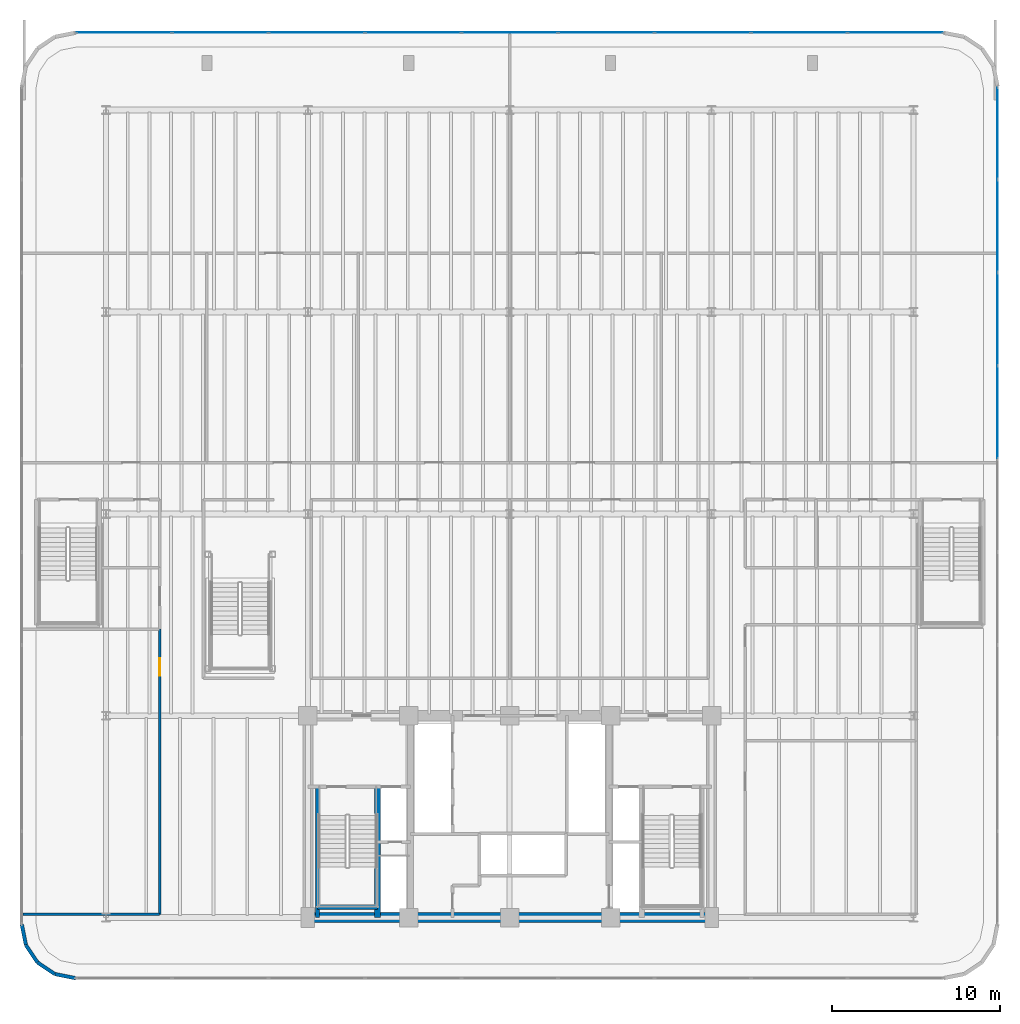
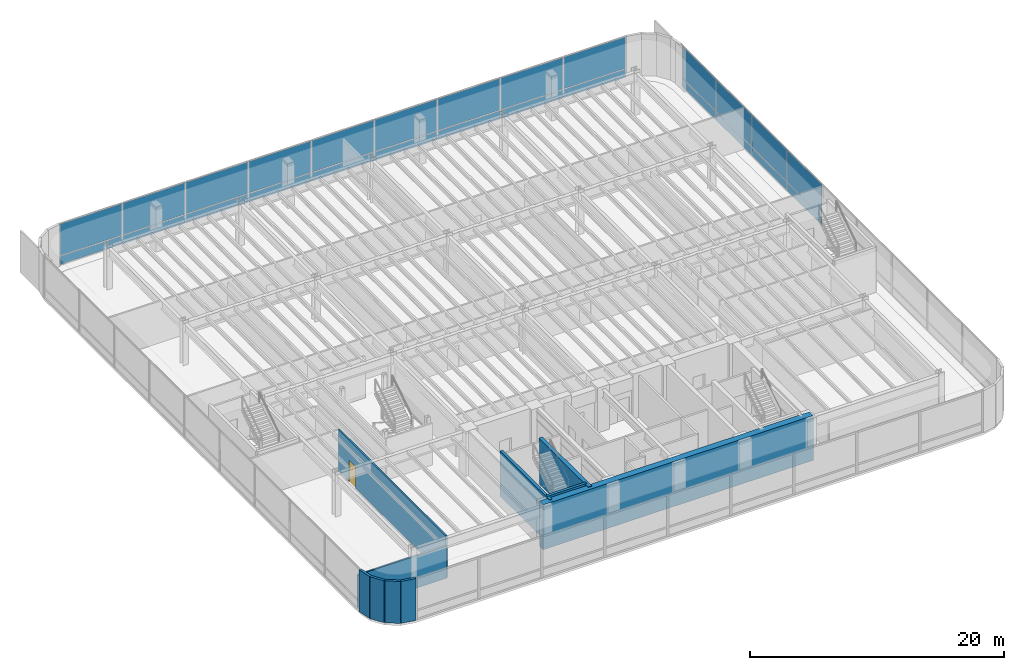
# One storey, part 11 of 18: 26 plates, 10 walls, 1 door, 1 opening, 2 elements without a shape of their own.
"""IFC4 building model written with IfcOpenShell, lengths in metres."""

from ifc_helpers import new_model, si_unit, direction, frame, frame_2d, origin, origin_2d, place, context, subcontext, project, spatial, rectangle, extrude, source, transform, mapped, material, layer, layer_set, type_object, element, fill, aggregate, save


model = new_model("IFC4")

# Units and contexts
model_context = context("Model", 3, precision=1e-05, world=origin(), true_north=direction((0.0, 1.0)))
body_context = subcontext(model_context, "Body", "Model", "MODEL_VIEW")
ifc_project = project(units=[si_unit("LENGTHUNIT", "METRE"), si_unit("AREAUNIT", "SQUARE_METRE"), si_unit("VOLUMEUNIT", "CUBIC_METRE"), si_unit("PLANEANGLEUNIT", "RADIAN"), si_unit("MASSUNIT", "GRAM", prefix="KILO")], contexts=[model_context])

# Site, building, storey
site_placement = place(None, origin())
site = spatial("IfcSite", under=ifc_project, at=site_placement, CompositionType="ELEMENT")
building_placement = place(site_placement, origin())
building = spatial("IfcBuilding", under=site, at=building_placement, Name="Brelvock Crest Care Tower", CompositionType="ELEMENT")
storey_placement = place(building_placement, frame((0.0, 0.0, 5.39990234375)))
storey = spatial("IfcBuildingStorey", under=building, at=storey_placement, Name="L01", CompositionType="ELEMENT", Elevation=5.39990234375)

# Curtain wall, plates
ifc_material_1 = material(Name="Dark Glass Double Glazed Low-E", Category="glass")
ifc_layer_1 = layer(ifc_material_1, 0.179931640625, Name="CWS-1")
ifc_layer_set_1 = layer_set([ifc_layer_1], Name="Dark Glass Double Glazed Low-E")
curtain_wall_type = type_object("IfcCurtainWallType", Name="CWS-1", PredefinedType="NOTDEFINED", material=ifc_layer_set_1)
curtain_wall_1_placement = place(storey_placement, origin())
curtain_wall_1 = element("IfcCurtainWall", 1, at=curtain_wall_1_placement, inside=storey, type_object=curtain_wall_type, Name="L01 Curtain Wall E14", PredefinedType="NOTDEFINED")
ifc_material_2 = material(Name="Dark Glass Shadow-Box Spandrel", Category="glass")
ifc_layer_2 = layer(ifc_material_2, 0.048095703125, Name="CWP-SP1")
ifc_layer_set_2 = layer_set([ifc_layer_2], Name="Dark Glass Shadow-Box Spandrel")
plate_type_1 = type_object("IfcPlateType", Name="CWP-SP1", PredefinedType="SHEET", material=ifc_layer_set_2)
shared_shape_1 = source(origin(), body_context, "Body", "SweptSolid", [
    extrude(rectangle(XDim=5.435791015625, YDim=0.035888671875, at=origin_2d()), origin(), (0.0, 0.0, 1.0), 0.802490234375),
])
plate_1_placement = place(storey_placement, frame((65.0, 52.6171875, 0.06494140625), z_axis=(0.0, 0.0, 1.0), x_axis=(0.0, -1.0, 0.0)))
plate_1 = element("IfcPlate", 2, at=plate_1_placement, type_object=plate_type_1, Name="CW-1 panel 1.1", PredefinedType="SHEET", context=body_context, shape_type="MappedRepresentation", body=[
    mapped(shared_shape_1, transform((0.0, 0.0, 0.0), x_axis=(1.0, 0.0, 0.0), y_axis=(0.0, 1.0, 0.0), z_axis=(0.0, 0.0, 1.0), scale=1.0)),
])
ifc_layer_3 = layer(ifc_material_1, 0.031982421875, Name="CWP-V1")
ifc_layer_set_3 = layer_set([ifc_layer_3], Name="Dark Glass Double Glazed Low-E")
plate_type_2 = type_object("IfcPlateType", Name="CWP-V1", PredefinedType="CURTAIN_PANEL", material=ifc_layer_set_3)
shared_shape_2 = source(origin(), body_context, "Body", "SweptSolid", [
    extrude(rectangle(XDim=5.435791015625, YDim=0.035888671875, at=origin_2d()), origin(), (0.0, 0.0, 1.0), 3.04248046875),
])
plate_2_placement = place(storey_placement, frame((65.0, 52.6171875, 0.9326171875), z_axis=(0.0, 0.0, 1.0), x_axis=(0.0, -1.0, 0.0)))
plate_2 = element("IfcPlate", 3, at=plate_2_placement, type_object=plate_type_2, Name="CW-1 panel 1.2", PredefinedType="CURTAIN_PANEL", context=body_context, shape_type="MappedRepresentation", body=[
    mapped(shared_shape_2, transform((0.0, 0.0, 0.0), x_axis=(1.0, 0.0, 0.0), y_axis=(0.0, 1.0, 0.0), z_axis=(0.0, 0.0, 1.0), scale=1.0)),
])
shared_shape_3 = source(origin(), body_context, "Body", "SweptSolid", [
    extrude(rectangle(XDim=5.46826171875, YDim=0.035888671875, at=origin_2d()), origin(), (0.0, 0.0, 1.0), 0.802490234375),
])
plate_3_placement = place(storey_placement, frame((65.0, 47.10009765625, 0.06494140625), z_axis=(0.0, 0.0, 1.0), x_axis=(0.0, -1.0, 0.0)))
plate_3 = element("IfcPlate", 4, at=plate_3_placement, type_object=plate_type_1, Name="CW-1 panel 2.1", PredefinedType="SHEET", context=body_context, shape_type="MappedRepresentation", body=[
    mapped(shared_shape_3, transform((0.0, 0.0, 0.0), x_axis=(1.0, 0.0, 0.0), y_axis=(0.0, 1.0, 0.0), z_axis=(0.0, 0.0, 1.0), scale=1.0)),
])
plate_4_placement = place(storey_placement, frame((65.0, 41.566650390625, 0.06494140625), z_axis=(0.0, 0.0, 1.0), x_axis=(0.0, -1.0, 0.0)))
plate_4 = element("IfcPlate", 5, at=plate_4_placement, type_object=plate_type_1, Name="CW-1 panel 3.1", PredefinedType="SHEET", context=body_context, shape_type="MappedRepresentation", body=[
    mapped(shared_shape_3, transform((0.0, 0.0, 0.0), x_axis=(1.0, 0.0, 0.0), y_axis=(0.0, 1.0, 0.0), z_axis=(0.0, 0.0, 1.0), scale=1.0)),
])
plate_5_placement = place(storey_placement, frame((65.0, 36.033447265625, 0.06494140625), z_axis=(0.0, 0.0, 1.0), x_axis=(0.0, -1.0, 0.0)))
plate_5 = element("IfcPlate", 6, at=plate_5_placement, type_object=plate_type_1, Name="CW-1 panel 4.1", PredefinedType="SHEET", context=body_context, shape_type="MappedRepresentation", body=[
    mapped(shared_shape_3, transform((0.0, 0.0, 0.0), x_axis=(1.0, 0.0, 0.0), y_axis=(0.0, 1.0, 0.0), z_axis=(0.0, 0.0, 1.0), scale=1.0)),
])
shared_shape_4 = source(origin(), body_context, "Body", "SweptSolid", [
    extrude(rectangle(XDim=5.46826171875, YDim=0.035888671875, at=origin_2d()), origin(), (0.0, 0.0, 1.0), 3.04248046875),
])
plate_6_placement = place(storey_placement, frame((65.0, 47.10009765625, 0.9326171875), z_axis=(0.0, 0.0, 1.0), x_axis=(0.0, -1.0, 0.0)))
plate_6 = element("IfcPlate", 7, at=plate_6_placement, type_object=plate_type_2, Name="CW-1 panel 2.2", PredefinedType="CURTAIN_PANEL", context=body_context, shape_type="MappedRepresentation", body=[
    mapped(shared_shape_4, transform((0.0, 0.0, 0.0), x_axis=(1.0, 0.0, 0.0), y_axis=(0.0, 1.0, 0.0), z_axis=(0.0, 0.0, 1.0), scale=1.0)),
])
plate_7_placement = place(storey_placement, frame((65.0, 41.566650390625, 0.9326171875), z_axis=(0.0, 0.0, 1.0), x_axis=(0.0, -1.0, 0.0)))
plate_7 = element("IfcPlate", 8, at=plate_7_placement, type_object=plate_type_2, Name="CW-1 panel 3.2", PredefinedType="CURTAIN_PANEL", context=body_context, shape_type="MappedRepresentation", body=[
    mapped(shared_shape_4, transform((0.0, 0.0, 0.0), x_axis=(1.0, 0.0, 0.0), y_axis=(0.0, 1.0, 0.0), z_axis=(0.0, 0.0, 1.0), scale=1.0)),
])
plate_8_placement = place(storey_placement, frame((65.0, 36.033447265625, 0.9326171875), z_axis=(0.0, 0.0, 1.0), x_axis=(0.0, -1.0, 0.0)))
plate_8 = element("IfcPlate", 9, at=plate_8_placement, type_object=plate_type_2, Name="CW-1 panel 4.2", PredefinedType="CURTAIN_PANEL", context=body_context, shape_type="MappedRepresentation", body=[
    mapped(shared_shape_4, transform((0.0, 0.0, 0.0), x_axis=(1.0, 0.0, 0.0), y_axis=(0.0, 1.0, 0.0), z_axis=(0.0, 0.0, 1.0), scale=1.0)),
])
aggregate(curtain_wall_1, [plate_1, plate_2, plate_3, plate_6, plate_4, plate_7, plate_5, plate_8])

curtain_wall_2_placement = place(storey_placement, origin())
curtain_wall_2 = element("IfcCurtainWall", 10, at=curtain_wall_2_placement, inside=storey, type_object=curtain_wall_type, Name="L01 Curtain Wall E09", PredefinedType="NOTDEFINED")
shared_shape_5 = source(origin(), body_context, "Body", "SweptSolid", [
    extrude(rectangle(XDim=5.6357421875, YDim=0.035888671875, at=origin_2d()), origin(), (0.0, 0.0, 1.0), 0.802490234375),
])
plate_9_placement = place(storey_placement, frame((13.0830078125, 58.60009765625, 0.06494140625), z_axis=(0.0, 0.0, 1.0), x_axis=(1.0, 0.0, 0.0)))
plate_9 = element("IfcPlate", 11, at=plate_9_placement, type_object=plate_type_1, Name="CW-1 panel 1.1", PredefinedType="SHEET", context=body_context, shape_type="MappedRepresentation", body=[
    mapped(shared_shape_5, transform((0.0, 0.0, 0.0), x_axis=(1.0, 0.0, 0.0), y_axis=(0.0, 1.0, 0.0), z_axis=(0.0, 0.0, 1.0), scale=1.0)),
])
plate_10_placement = place(storey_placement, frame((58.9169921875, 58.60009765625, 0.06494140625), z_axis=(0.0, 0.0, 1.0), x_axis=(1.0, 0.0, 0.0)))
plate_10 = element("IfcPlate", 12, at=plate_10_placement, type_object=plate_type_1, Name="CW-1 panel 9.1", PredefinedType="SHEET", context=body_context, shape_type="MappedRepresentation", body=[
    mapped(shared_shape_5, transform((0.0, 0.0, 0.0), x_axis=(1.0, 0.0, 0.0), y_axis=(0.0, 1.0, 0.0), z_axis=(0.0, 0.0, 1.0), scale=1.0)),
])
shared_shape_6 = source(origin(), body_context, "Body", "SweptSolid", [
    extrude(rectangle(XDim=5.6357421875, YDim=0.035888671875, at=origin_2d()), origin(), (0.0, 0.0, 1.0), 3.04248046875),
])
plate_11_placement = place(storey_placement, frame((13.0830078125, 58.60009765625, 0.9326171875), z_axis=(0.0, 0.0, 1.0), x_axis=(1.0, 0.0, 0.0)))
plate_11 = element("IfcPlate", 13, at=plate_11_placement, type_object=plate_type_2, Name="CW-1 panel 1.2", PredefinedType="CURTAIN_PANEL", context=body_context, shape_type="MappedRepresentation", body=[
    mapped(shared_shape_6, transform((0.0, 0.0, 0.0), x_axis=(1.0, 0.0, 0.0), y_axis=(0.0, 1.0, 0.0), z_axis=(0.0, 0.0, 1.0), scale=1.0)),
])
plate_12_placement = place(storey_placement, frame((58.9169921875, 58.60009765625, 0.9326171875), z_axis=(0.0, 0.0, 1.0), x_axis=(1.0, 0.0, 0.0)))
plate_12 = element("IfcPlate", 14, at=plate_12_placement, type_object=plate_type_2, Name="CW-1 panel 9.2", PredefinedType="CURTAIN_PANEL", context=body_context, shape_type="MappedRepresentation", body=[
    mapped(shared_shape_6, transform((0.0, 0.0, 0.0), x_axis=(1.0, 0.0, 0.0), y_axis=(0.0, 1.0, 0.0), z_axis=(0.0, 0.0, 1.0), scale=1.0)),
])
shared_shape_7 = source(origin(), body_context, "Body", "SweptSolid", [
    extrude(rectangle(XDim=5.668212890625, YDim=0.035888671875, at=origin_2d()), origin(), (0.0, 0.0, 1.0), 0.802490234375),
])
plate_13_placement = place(storey_placement, frame((18.800048828125, 58.60009765625, 0.06494140625), z_axis=(0.0, 0.0, 1.0), x_axis=(1.0, 0.0, 0.0)))
plate_13 = element("IfcPlate", 15, at=plate_13_placement, type_object=plate_type_1, Name="CW-1 panel 2.1", PredefinedType="SHEET", context=body_context, shape_type="MappedRepresentation", body=[
    mapped(shared_shape_7, transform((0.0, 0.0, 0.0), x_axis=(1.0, 0.0, 0.0), y_axis=(0.0, 1.0, 0.0), z_axis=(0.0, 0.0, 1.0), scale=1.0)),
])
plate_14_placement = place(storey_placement, frame((24.533447265625, 58.60009765625, 0.06494140625), z_axis=(0.0, 0.0, 1.0), x_axis=(1.0, 0.0, 0.0)))
plate_14 = element("IfcPlate", 16, at=plate_14_placement, type_object=plate_type_1, Name="CW-1 panel 3.1", PredefinedType="SHEET", context=body_context, shape_type="MappedRepresentation", body=[
    mapped(shared_shape_7, transform((0.0, 0.0, 0.0), x_axis=(1.0, 0.0, 0.0), y_axis=(0.0, 1.0, 0.0), z_axis=(0.0, 0.0, 1.0), scale=1.0)),
])
plate_15_placement = place(storey_placement, frame((30.2666015625, 58.60009765625, 0.06494140625), z_axis=(0.0, 0.0, 1.0), x_axis=(1.0, 0.0, 0.0)))
plate_15 = element("IfcPlate", 17, at=plate_15_placement, type_object=plate_type_1, Name="CW-1 panel 4.1", PredefinedType="SHEET", context=body_context, shape_type="MappedRepresentation", body=[
    mapped(shared_shape_7, transform((0.0, 0.0, 0.0), x_axis=(1.0, 0.0, 0.0), y_axis=(0.0, 1.0, 0.0), z_axis=(0.0, 0.0, 1.0), scale=1.0)),
])
plate_16_placement = place(storey_placement, frame((36.0, 58.60009765625, 0.06494140625), z_axis=(0.0, 0.0, 1.0), x_axis=(1.0, 0.0, 0.0)))
plate_16 = element("IfcPlate", 18, at=plate_16_placement, type_object=plate_type_1, Name="CW-1 panel 5.1", PredefinedType="SHEET", context=body_context, shape_type="MappedRepresentation", body=[
    mapped(shared_shape_7, transform((0.0, 0.0, 0.0), x_axis=(1.0, 0.0, 0.0), y_axis=(0.0, 1.0, 0.0), z_axis=(0.0, 0.0, 1.0), scale=1.0)),
])
plate_17_placement = place(storey_placement, frame((41.7333984375, 58.60009765625, 0.06494140625), z_axis=(0.0, 0.0, 1.0), x_axis=(1.0, 0.0, 0.0)))
plate_17 = element("IfcPlate", 19, at=plate_17_placement, type_object=plate_type_1, Name="CW-1 panel 6.1", PredefinedType="SHEET", context=body_context, shape_type="MappedRepresentation", body=[
    mapped(shared_shape_7, transform((0.0, 0.0, 0.0), x_axis=(1.0, 0.0, 0.0), y_axis=(0.0, 1.0, 0.0), z_axis=(0.0, 0.0, 1.0), scale=1.0)),
])
plate_18_placement = place(storey_placement, frame((47.466552734375, 58.60009765625, 0.06494140625), z_axis=(0.0, 0.0, 1.0), x_axis=(1.0, 0.0, 0.0)))
plate_18 = element("IfcPlate", 20, at=plate_18_placement, type_object=plate_type_1, Name="CW-1 panel 7.1", PredefinedType="SHEET", context=body_context, shape_type="MappedRepresentation", body=[
    mapped(shared_shape_7, transform((0.0, 0.0, 0.0), x_axis=(1.0, 0.0, 0.0), y_axis=(0.0, 1.0, 0.0), z_axis=(0.0, 0.0, 1.0), scale=1.0)),
])
plate_19_placement = place(storey_placement, frame((53.199951171875, 58.60009765625, 0.06494140625), z_axis=(0.0, 0.0, 1.0), x_axis=(1.0, 0.0, 0.0)))
plate_19 = element("IfcPlate", 21, at=plate_19_placement, type_object=plate_type_1, Name="CW-1 panel 8.1", PredefinedType="SHEET", context=body_context, shape_type="MappedRepresentation", body=[
    mapped(shared_shape_7, transform((0.0, 0.0, 0.0), x_axis=(1.0, 0.0, 0.0), y_axis=(0.0, 1.0, 0.0), z_axis=(0.0, 0.0, 1.0), scale=1.0)),
])
shared_shape_8 = source(origin(), body_context, "Body", "SweptSolid", [
    extrude(rectangle(XDim=5.668212890625, YDim=0.035888671875, at=origin_2d()), origin(), (0.0, 0.0, 1.0), 3.04248046875),
])
plate_20_placement = place(storey_placement, frame((18.800048828125, 58.60009765625, 0.9326171875), z_axis=(0.0, 0.0, 1.0), x_axis=(1.0, 0.0, 0.0)))
plate_20 = element("IfcPlate", 22, at=plate_20_placement, type_object=plate_type_2, Name="CW-1 panel 2.2", PredefinedType="CURTAIN_PANEL", context=body_context, shape_type="MappedRepresentation", body=[
    mapped(shared_shape_8, transform((0.0, 0.0, 0.0), x_axis=(1.0, 0.0, 0.0), y_axis=(0.0, 1.0, 0.0), z_axis=(0.0, 0.0, 1.0), scale=1.0)),
])
plate_21_placement = place(storey_placement, frame((24.533447265625, 58.60009765625, 0.9326171875), z_axis=(0.0, 0.0, 1.0), x_axis=(1.0, 0.0, 0.0)))
plate_21 = element("IfcPlate", 23, at=plate_21_placement, type_object=plate_type_2, Name="CW-1 panel 3.2", PredefinedType="CURTAIN_PANEL", context=body_context, shape_type="MappedRepresentation", body=[
    mapped(shared_shape_8, transform((0.0, 0.0, 0.0), x_axis=(1.0, 0.0, 0.0), y_axis=(0.0, 1.0, 0.0), z_axis=(0.0, 0.0, 1.0), scale=1.0)),
])
plate_22_placement = place(storey_placement, frame((30.2666015625, 58.60009765625, 0.9326171875), z_axis=(0.0, 0.0, 1.0), x_axis=(1.0, 0.0, 0.0)))
plate_22 = element("IfcPlate", 24, at=plate_22_placement, type_object=plate_type_2, Name="CW-1 panel 4.2", PredefinedType="CURTAIN_PANEL", context=body_context, shape_type="MappedRepresentation", body=[
    mapped(shared_shape_8, transform((0.0, 0.0, 0.0), x_axis=(1.0, 0.0, 0.0), y_axis=(0.0, 1.0, 0.0), z_axis=(0.0, 0.0, 1.0), scale=1.0)),
])
plate_23_placement = place(storey_placement, frame((36.0, 58.60009765625, 0.9326171875), z_axis=(0.0, 0.0, 1.0), x_axis=(1.0, 0.0, 0.0)))
plate_23 = element("IfcPlate", 25, at=plate_23_placement, type_object=plate_type_2, Name="CW-1 panel 5.2", PredefinedType="CURTAIN_PANEL", context=body_context, shape_type="MappedRepresentation", body=[
    mapped(shared_shape_8, transform((0.0, 0.0, 0.0), x_axis=(1.0, 0.0, 0.0), y_axis=(0.0, 1.0, 0.0), z_axis=(0.0, 0.0, 1.0), scale=1.0)),
])
plate_24_placement = place(storey_placement, frame((41.7333984375, 58.60009765625, 0.9326171875), z_axis=(0.0, 0.0, 1.0), x_axis=(1.0, 0.0, 0.0)))
plate_24 = element("IfcPlate", 26, at=plate_24_placement, type_object=plate_type_2, Name="CW-1 panel 6.2", PredefinedType="CURTAIN_PANEL", context=body_context, shape_type="MappedRepresentation", body=[
    mapped(shared_shape_8, transform((0.0, 0.0, 0.0), x_axis=(1.0, 0.0, 0.0), y_axis=(0.0, 1.0, 0.0), z_axis=(0.0, 0.0, 1.0), scale=1.0)),
])
plate_25_placement = place(storey_placement, frame((47.466552734375, 58.60009765625, 0.9326171875), z_axis=(0.0, 0.0, 1.0), x_axis=(1.0, 0.0, 0.0)))
plate_25 = element("IfcPlate", 27, at=plate_25_placement, type_object=plate_type_2, Name="CW-1 panel 7.2", PredefinedType="CURTAIN_PANEL", context=body_context, shape_type="MappedRepresentation", body=[
    mapped(shared_shape_8, transform((0.0, 0.0, 0.0), x_axis=(1.0, 0.0, 0.0), y_axis=(0.0, 1.0, 0.0), z_axis=(0.0, 0.0, 1.0), scale=1.0)),
])
plate_26_placement = place(storey_placement, frame((53.199951171875, 58.60009765625, 0.9326171875), z_axis=(0.0, 0.0, 1.0), x_axis=(1.0, 0.0, 0.0)))
plate_26 = element("IfcPlate", 28, at=plate_26_placement, type_object=plate_type_2, Name="CW-1 panel 8.2", PredefinedType="CURTAIN_PANEL", context=body_context, shape_type="MappedRepresentation", body=[
    mapped(shared_shape_8, transform((0.0, 0.0, 0.0), x_axis=(1.0, 0.0, 0.0), y_axis=(0.0, 1.0, 0.0), z_axis=(0.0, 0.0, 1.0), scale=1.0)),
])
aggregate(curtain_wall_2, [plate_9, plate_11, plate_13, plate_20, plate_14, plate_21, plate_15, plate_22, plate_16, plate_23, plate_17, plate_24, plate_18, plate_25, plate_19, plate_26, plate_10, plate_12])

# Walls
ifc_material_3 = material(Name="Concrete S80 (80 MPa)", Category="concrete")
ifc_layer_4 = layer(ifc_material_3, 0.60009765625, Name="WL-CS1")
ifc_layer_set_4 = layer_set([ifc_layer_4], Name="Concrete S80 (80 MPa)")
wall_type_1 = type_object("IfcWallType", Name="WL-CS1", PredefinedType="SHEAR", material=ifc_layer_set_4)
wall_1_placement = place(storey_placement, frame((48.300048828125, 6.0, 0.0), z_axis=(0.0, 0.0, 1.0), x_axis=(-1.0, 0.0, 0.0)))
element("IfcWall", 29, at=wall_1_placement, inside=storey, type_object=wall_type_1, Name="L01 Core South Shear Wall", PredefinedType="SHEAR", context=body_context, shape_type="SweptSolid", body=[
    extrude(rectangle(XDim=24.60009765625, YDim=0.60009765625, at=frame_2d((12.300048828125, 0.0))), origin(), (0.0, 0.0, 1.0), 4.320068359375),
])
ifc_layer_5 = layer(ifc_material_3, 0.35009765625, Name="WL-CS5")
ifc_layer_set_5 = layer_set([ifc_layer_5], Name="Concrete S80 (80 MPa)")
wall_type_2 = type_object("IfcWallType", Name="WL-CS5", PredefinedType="SHEAR", material=ifc_layer_set_5)
wall_2_placement = place(storey_placement, frame((28.14990234375, 6.0, 0.0), z_axis=(0.0, 0.0, 1.0), x_axis=(0.0, 1.0, 0.0)))
element("IfcWall", 30, at=wall_2_placement, inside=storey, type_object=wall_type_2, Name="L01 Core Stair ST-1 East Shear Wall", PredefinedType="SHEAR", context=body_context, shape_type="SweptSolid", body=[
    extrude(rectangle(XDim=7.780029296875, YDim=0.35009765625, at=frame_2d((3.89013671875, 0.0))), origin(), (0.0, 0.0, 1.0), 4.360107421875),
])
ifc_layer_6 = layer(ifc_material_3, 0.25, Name="WL-CS6")
ifc_layer_set_6 = layer_set([ifc_layer_6], Name="Concrete S80 (80 MPa)")
wall_type_3 = type_object("IfcWallType", Name="WL-CS6", PredefinedType="SHEAR", material=ifc_layer_set_6)
wall_3_placement = place(storey_placement, frame((24.580078125, 6.0, 0.0), z_axis=(0.0, 0.0, 1.0), x_axis=(0.0, 1.0, 0.0)))
element("IfcWall", 31, at=wall_3_placement, inside=storey, type_object=wall_type_3, Name="L01 Core Stair ST-1 West Shear Wall", PredefinedType="SHEAR", context=body_context, shape_type="SweptSolid", body=[
    extrude(rectangle(XDim=7.780029296875, YDim=0.25, at=frame_2d((3.89013671875, 0.0))), origin(), (0.0, 0.0, 1.0), 4.360107421875),
])
wall_4_placement = place(storey_placement, frame((24.580078125, 6.6201171875, 0.0), z_axis=(0.0, 0.0, 1.0), x_axis=(1.0, 0.0, 0.0)))
element("IfcWall", 32, at=wall_4_placement, inside=storey, type_object=wall_type_3, Name="L01 Core Stair ST-1 South Shear Wall", PredefinedType="SHEAR", context=body_context, shape_type="SweptSolid", body=[
    extrude(rectangle(XDim=3.56982421875, YDim=0.25, at=frame_2d((1.784912109375, 0.0))), origin(), (0.0, 0.0, 1.0), 4.360107421875),
])
ifc_material_4 = material(Name="Precast concrete N40 (40 MPa)", Category="concrete")
ifc_layer_7 = layer(ifc_material_4, 0.215087890625, Name="WL-EX2")
ifc_layer_set_7 = layer_set([ifc_layer_7], Name="Precast concrete N40 (40 MPa)")
wall_type_4 = type_object("IfcWallType", Name="WL-EX2", PredefinedType="SOLIDWALL", material=ifc_layer_set_7)
for number, where, z_axis, x_axis, name in (
    (33, (10.199951171875, 2.39990234375, 0.0), (0.0, 0.0, 1.0), (-0.980775717779, 0.195138390419, 0.0), "L01 Rounded Corner Wall 00"),
    (34, (8.975341796875, 2.6435546875, 0.0), (0.0, 0.0, 1.0), (-0.831387912822, 0.555692485475, 0.0), "L01 Rounded Corner Wall 01"),
    (35, (7.937255859375, 3.33740234375, 0.0), (0.0, 0.0, 1.0), (-0.555557312883, 0.831478245117, 0.0), "L01 Rounded Corner Wall 02"),
    (36, (7.24365234375, 4.37548828125, 0.0), (0.0, 0.0, 1.0), (-0.195138390419, 0.980775717779, 0.0), "L01 Rounded Corner Wall 03"),
):
    element("IfcWall", number, at=place(storey_placement, frame(where, z_axis=z_axis, x_axis=x_axis)), inside=storey, type_object=wall_type_4, Name=name, PredefinedType="SOLIDWALL", context=body_context, shape_type="SweptSolid", body=[
        extrude(rectangle(XDim=1.24853515625, YDim=0.215087890625, at=frame_2d((0.624267578125, 0.0))), origin(), (0.0, 0.0, 1.0), 4.0400390625),
    ])
ifc_material_5 = material(Name="Masonry Blockwork Acoustic Partition", Category="masonry")
ifc_layer_8 = layer(ifc_material_5, 0.14990234375, Name="WL-INT1")
ifc_layer_set_8 = layer_set([ifc_layer_8], Name="Masonry Blockwork Acoustic Partition")
wall_type_5 = type_object("IfcWallType", Name="WL-INT1", PredefinedType="PARTITIONING", material=ifc_layer_set_8)
wall_5_placement = place(storey_placement, frame((7.080078125, 6.199951171875, 0.0), z_axis=(0.0, 0.0, 1.0), x_axis=(1.0, 0.0, 0.0)))
element("IfcWall", 37, at=wall_5_placement, inside=storey, type_object=wall_type_5, Name="L01 Interior Wall WL-BX-L01-CL1A-S", PredefinedType="PARTITIONING", context=body_context, shape_type="SweptSolid", body=[
    extrude(rectangle(XDim=8.119873046875, YDim=0.14990234375, at=frame_2d((4.06005859375, 0.0))), origin(), (0.0, 0.0, 1.0), 3.125),
])

# Wall, opening, door
wall_6_placement = place(storey_placement, frame((15.199951171875, 6.199951171875, 0.0), z_axis=(0.0, 0.0, 1.0), x_axis=(0.0, 1.0, 0.0)))
wall_6 = element("IfcWall", 38, at=wall_6_placement, inside=storey, type_object=wall_type_5, Name="L01 Interior Wall WL-RM-L01-CL1A", PredefinedType="PARTITIONING", context=body_context, shape_type="SweptSolid", body=[
    extrude(rectangle(XDim=16.949951171875, YDim=0.14990234375, at=frame_2d((8.47509765625, 0.0))), origin(), (0.0, 0.0, 1.0), 4.010009765625),
])
opening_placement = place(wall_6_placement, frame((14.175048828125, 0.0, 0.0)))
opening = element("IfcOpeningElement", 39, at=opening_placement, cuts=wall_6, Name="Opening CLD-1", PredefinedType="OPENING", context=body_context, shape_type="SweptSolid", body=[
    extrude(rectangle(XDim=1.050048828125, YDim=2.10009765625, at=origin_2d()), frame((0.52490234375, 0.0849609375, 1.050048828125), z_axis=(0.0, -1.0, 0.0), x_axis=(1.0, 0.0, 0.0)), (0.0, 0.0, 1.0), 0.169921875),
])
ifc_material_6 = material(Name="Engineered Hardwood Timber", Category="wood")
door_type = type_object("IfcDoorType", Name="DR-CLN1", OperationType="NOTDEFINED", PredefinedType="DOOR", material=ifc_material_6)
shared_shape_9 = source(origin(), body_context, "Body", "SweptSolid", [
    extrude(rectangle(XDim=1.050048828125, YDim=2.10009765625, at=origin_2d()), frame((0.52490234375, 0.02490234375, 1.050048828125), z_axis=(0.0, -1.0, 0.0), x_axis=(1.0, 0.0, 0.0)), (0.0, 0.0, 1.0), 0.050048828125),
])
door_placement = place(opening_placement, origin())
door = element("IfcDoor", 40, at=door_placement, inside=storey, type_object=door_type, Name="L01 Geriatric Specialist Clinic South Door CL1A", OperationType="SINGLE_SWING_LEFT", OverallHeight=2.10009765625, OverallWidth=1.050048828125, PredefinedType="DOOR", context=body_context, shape_type="MappedRepresentation", body=[
    mapped(shared_shape_9, transform((0.0, 0.0, 0.0), x_axis=(1.0, 0.0, 0.0), y_axis=(0.0, 1.0, 0.0), z_axis=(0.0, 0.0, 1.0), scale=1.0)),
])
fill(opening, door)

save(model, "model.ifc")
